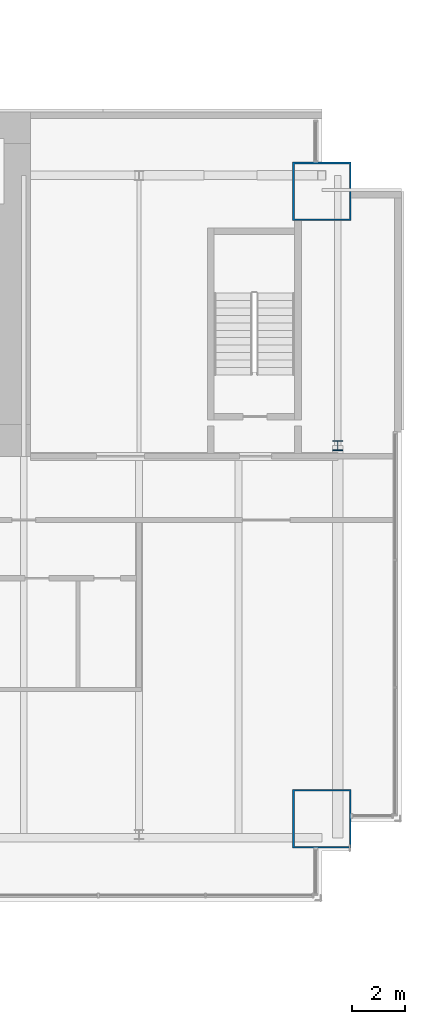
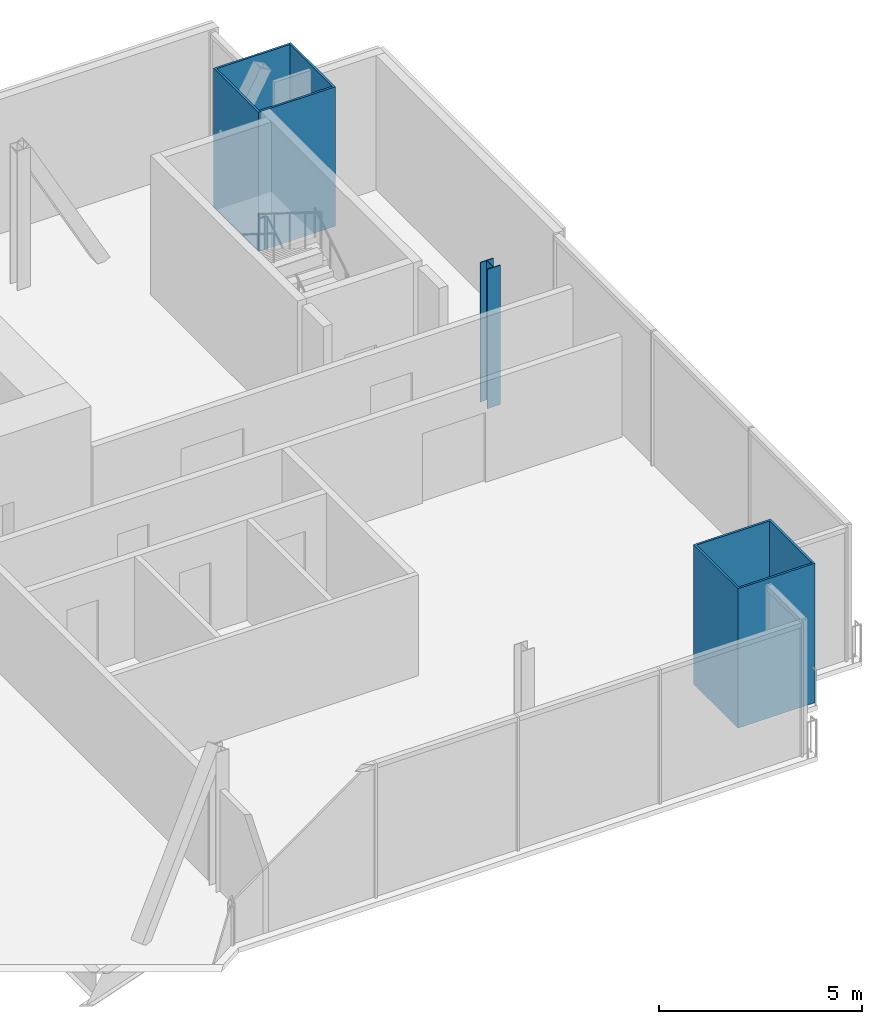
# One storey, part 4 of 20: 3 columns.
"""IFC4 building model written with IfcOpenShell, lengths in metres."""

from ifc_helpers import new_model, si_unit, direction, frame, origin, origin_2d, place, context, subcontext, project, spatial, hollow_rectangle, i_section, extrude, material, material_profile, profile_set, type_object, element, save


model = new_model("IFC4")

# Units and contexts
model_context = context("Model", 3, precision=1e-05, world=origin(), true_north=direction((0.0, 1.0)))
body_context = subcontext(model_context, "Body", "Model", "MODEL_VIEW")
ifc_project = project(units=[si_unit("LENGTHUNIT", "METRE"), si_unit("AREAUNIT", "SQUARE_METRE"), si_unit("VOLUMEUNIT", "CUBIC_METRE"), si_unit("PLANEANGLEUNIT", "RADIAN"), si_unit("MASSUNIT", "GRAM", prefix="KILO")], contexts=[model_context])

# Site, building, storey
site_placement = place(None, origin())
site = spatial("IfcSite", under=ifc_project, at=site_placement, CompositionType="ELEMENT")
building_placement = place(site_placement, origin())
building = spatial("IfcBuilding", under=site, at=building_placement, Name="Bicima Exchange Tower", CompositionType="ELEMENT")
storey_placement = place(building_placement, frame((0.0, 0.0, 249.800048828125)))
storey = spatial("IfcBuildingStorey", under=building, at=storey_placement, Name="L56", CompositionType="ELEMENT", Elevation=249.800048828125)

# Columns
ifc_material_1 = material(Name="Steel ASTM A572 Gr 50", Category="steel")
ifc_material_profile_1 = material_profile(ifc_material_1, hollow_rectangle(XDim=2.199951171875, YDim=2.199951171875, WallThickness=0.06005859375, at=origin_2d()))
ifc_profile_set_1 = profile_set([ifc_material_profile_1], Name="Steel ASTM A572 Gr 50")
column_type_1 = type_object("IfcColumnType", Name="Mega column BOX 2200x2200x60", PredefinedType="COLUMN", material=ifc_profile_set_1)
for number, where, z_axis, x_axis, name in (
    (1, (33.0, -26.677978515625, 0.0), (0.0, 0.0, 1.0), (1.0, 0.0, 0.0), "Mega column mega+33.0f"),
    (2, (33.0, -3.0, 0.0), (0.0, 0.0, 1.0), (1.0, 0.0, 0.0), "Mega column mega+33.0r"),
):
    element("IfcColumn", number, at=place(storey_placement, frame(where, z_axis=z_axis, x_axis=x_axis)), inside=storey, type_object=column_type_1, Name=name, PredefinedType="COLUMN", context=body_context, shape_type="SweptSolid", body=[
        extrude(hollow_rectangle(XDim=2.199951171875, YDim=2.199951171875, WallThickness=0.06005859375, at=origin_2d()), origin(), (0.0, 0.0, 1.0), 4.199951171875),
    ])
ifc_material_2 = material(Name="Steel ASTM A992 Gr 50", Category="steel")
ifc_material_profile_2 = material_profile(ifc_material_2, i_section(OverallWidth=0.370849609375, OverallDepth=0.36328125, WebThickness=0.013427734375, FlangeThickness=0.021728515625, at=origin_2d()))
ifc_profile_set_2 = profile_set([ifc_material_profile_2], Name="Steel ASTM A992 Gr 50")
column_type_2 = type_object("IfcColumnType", Name="Perimeter column W14x109", PredefinedType="COLUMN", material=ifc_profile_set_2)
column_placement = place(storey_placement, frame((33.60009765625, -12.60009765625, 0.0), z_axis=(0.0, 0.0, 1.0), x_axis=(1.0, 0.0, 0.0)))
element("IfcColumn", 3, at=column_placement, inside=storey, type_object=column_type_2, Name="End column end+33.6e", PredefinedType="COLUMN", context=body_context, shape_type="SweptSolid", body=[
    extrude(i_section(OverallWidth=0.370849609375, OverallDepth=0.36328125, WebThickness=0.013427734375, FlangeThickness=0.021728515625, at=origin_2d()), origin(), (0.0, 0.0, 1.0), 4.199951171875),
])

save(model, "model.ifc")
